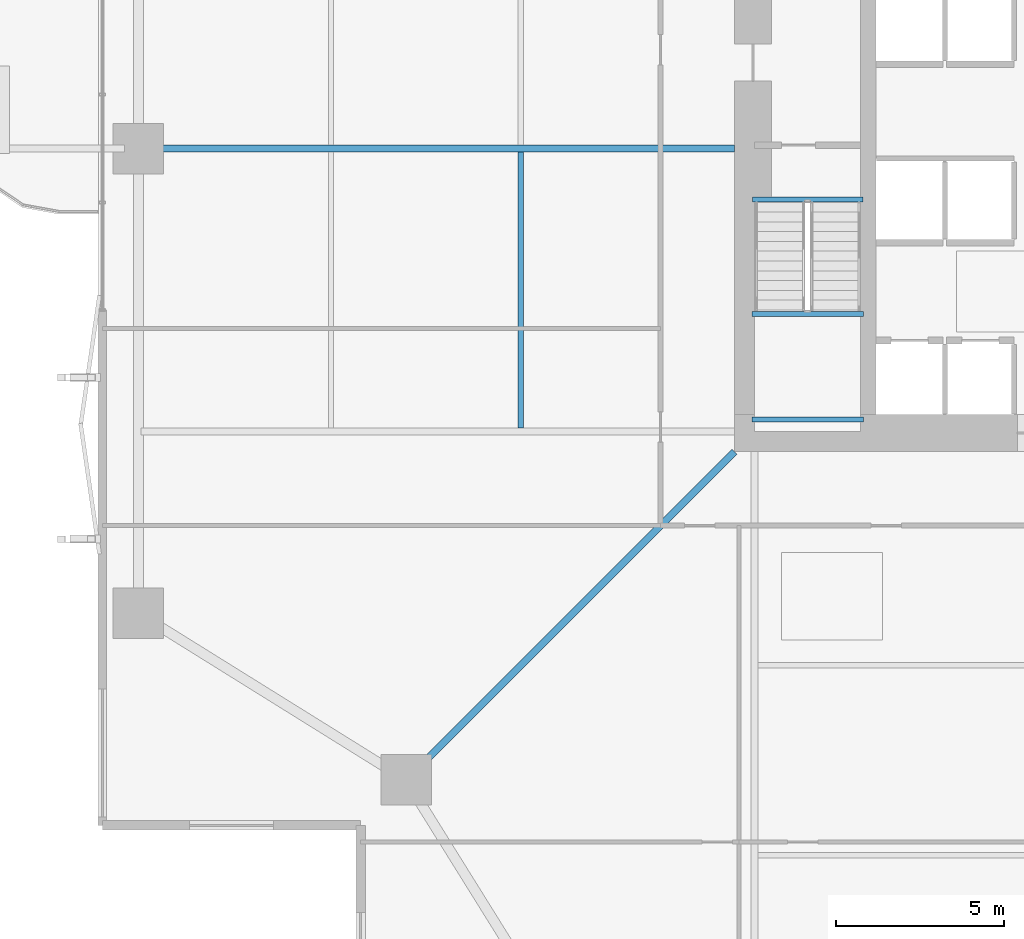
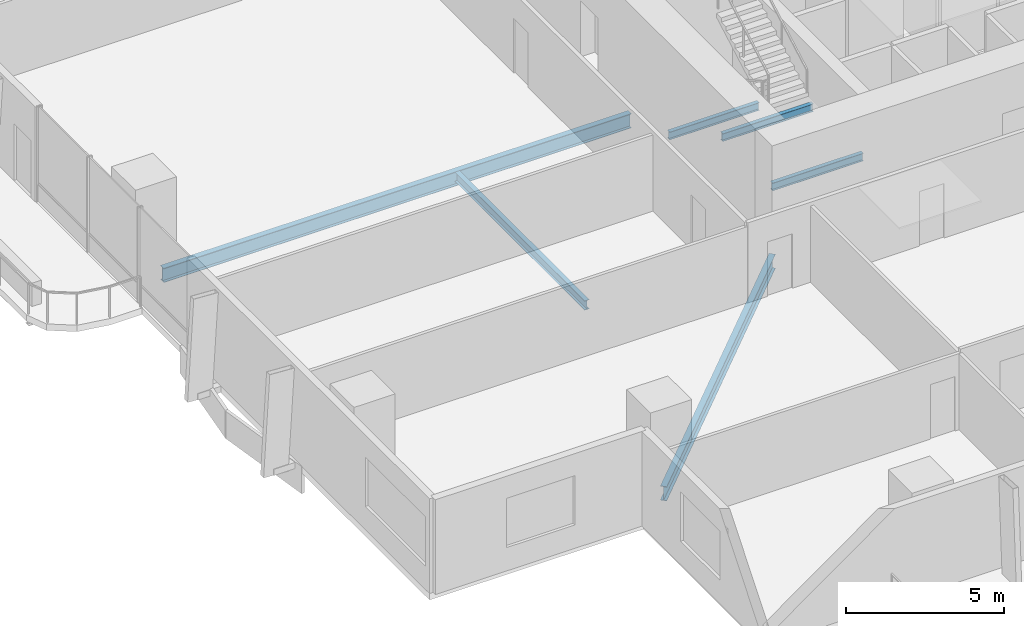
# One storey, part 5 of 23: 6 beams.
"""IFC4 building model written with IfcOpenShell, lengths in metres."""

from ifc_helpers import new_model, si_unit, direction, frame, origin, origin_2d, place, context, subcontext, project, spatial, i_section, extrude, material, material_profile, profile_set, type_object, element, save


model = new_model("IFC4")

# Units and contexts
model_context = context("Model", 3, precision=1e-05, world=origin(), true_north=direction((0.0, 1.0)))
body_context = subcontext(model_context, "Body", "Model", "MODEL_VIEW")
ifc_project = project(units=[si_unit("LENGTHUNIT", "METRE"), si_unit("AREAUNIT", "SQUARE_METRE"), si_unit("VOLUMEUNIT", "CUBIC_METRE"), si_unit("PLANEANGLEUNIT", "RADIAN"), si_unit("MASSUNIT", "GRAM", prefix="KILO")], contexts=[model_context])

# Site, building, storey
site_placement = place(None, origin())
site = spatial("IfcSite", under=ifc_project, at=site_placement, CompositionType="ELEMENT")
building_placement = place(site_placement, origin())
building = spatial("IfcBuilding", under=site, at=building_placement, Name="Belovzor Exchange Tower", CompositionType="ELEMENT")
storey_placement = place(building_placement, frame((0.0, 0.0, 88.5)))
storey = spatial("IfcBuildingStorey", under=building, at=storey_placement, Name="L21", CompositionType="ELEMENT", Elevation=88.5)

# Beams
ifc_material_1 = material(Name="Steel S355", Category="steel")
ifc_material_profile_1 = material_profile(ifc_material_1, i_section(OverallWidth=0.169921875, OverallDepth=0.360107421875, WebThickness=0.008056640625, FlangeThickness=0.0126953125, at=origin_2d()))
ifc_profile_set_1 = profile_set([ifc_material_profile_1], Name="Steel S355")
beam_type_1 = type_object("IfcBeamType", Name="Secondary Infill Floor Joist IPE 360", PredefinedType="BEAM", material=ifc_profile_set_1)
beam_1_placement = place(storey_placement, frame((13.455078125, 20.5048828125, -0.429931640625), z_axis=(0.0, 1.0, 0.0), x_axis=(-1.0, 0.0, 0.0)))
element("IfcBeam", 1, at=beam_1_placement, inside=storey, type_object=beam_type_1, Name="FJ-360 Secondary Infill Floor Joist IPE 360", PredefinedType="BEAM", context=body_context, shape_type="SweptSolid", body=[
    extrude(i_section(OverallWidth=0.169921875, OverallDepth=0.360107421875, WebThickness=0.008056640625, FlangeThickness=0.0126953125, at=origin_2d()), origin(), (0.0, 0.0, 1.0), 8.190185546875),
])
ifc_material_2 = material(Name="Steel S355", Category="steel")
ifc_material_profile_2 = material_profile(ifc_material_2, i_section(OverallWidth=0.14990234375, OverallDepth=0.300048828125, WebThickness=0.007080078125, FlangeThickness=0.0107421875, at=origin_2d()))
ifc_profile_set_2 = profile_set([ifc_material_profile_2], Name="Steel S355")
beam_type_2 = type_object("IfcBeamType", Name="Secondary Trim Floor Joist IPE 300", PredefinedType="BEAM", material=ifc_profile_set_2)
for number, where, z_axis, x_axis, name in (
    (2, (20.320068359375, 23.889892578125, 1.60009765625), (1.0, 0.0, 0.0), (0.0, 1.0, 0.0), "FJ-300 Secondary Trim Floor Joist IPE 300"),
    (3, (20.320068359375, 20.75, 1.60009765625), (1.0, 0.0, 0.0), (0.0, 1.0, 0.0), "FJ-300 Secondary Trim Floor Joist IPE 300"),
):
    element("IfcBeam", number, at=place(storey_placement, frame(where, z_axis=z_axis, x_axis=x_axis)), inside=storey, type_object=beam_type_2, Name=name, PredefinedType="BEAM", context=body_context, shape_type="SweptSolid", body=[
        extrude(i_section(OverallWidth=0.14990234375, OverallDepth=0.300048828125, WebThickness=0.007080078125, FlangeThickness=0.0107421875, at=origin_2d()), origin(), (0.0, 0.0, 1.0), 3.309814453125),
    ])
beam_2_placement = place(storey_placement, frame((20.340087890625, 27.280029296875, -0.39990234375), z_axis=(1.0, 0.0, 0.0), x_axis=(0.0, 1.0, 0.0)))
element("IfcBeam", 4, at=beam_2_placement, inside=storey, type_object=beam_type_2, Name="FJ-300 Secondary Trim Floor Joist IPE 300", PredefinedType="BEAM", context=body_context, shape_type="SweptSolid", body=[
    extrude(i_section(OverallWidth=0.14990234375, OverallDepth=0.300048828125, WebThickness=0.007080078125, FlangeThickness=0.0107421875, at=origin_2d()), origin(), (0.0, 0.0, 1.0), 3.27001953125),
])
ifc_material_3 = material(Name="Steel S355", Category="steel")
ifc_material_profile_3 = material_profile(ifc_material_3, i_section(OverallWidth=0.2099609375, OverallDepth=0.550048828125, WebThickness=0.010986328125, FlangeThickness=0.01708984375, at=origin_2d()))
ifc_profile_set_3 = profile_set([ifc_material_profile_3], Name="Steel S355")
beam_type_3 = type_object("IfcBeamType", Name="Zone 1 Radial Composite Floor Beam IPE 550", PredefinedType="BEAM", material=ifc_profile_set_3)
beam_3_placement = place(storey_placement, frame((19.800048828125, 28.800048828125, -0.52490234375), z_axis=(-1.0, 0.0, 0.0), x_axis=(0.0, -1.0, 0.0)))
element("IfcBeam", 5, at=beam_3_placement, inside=storey, type_object=beam_type_3, Name="FB-550 Zone 1 Radial Composite Floor Beam IPE 550", PredefinedType="BEAM", context=body_context, shape_type="SweptSolid", body=[
    extrude(i_section(OverallWidth=0.2099609375, OverallDepth=0.550048828125, WebThickness=0.010986328125, FlangeThickness=0.01708984375, at=origin_2d()), origin(), (0.0, 0.0, 1.0), 17.0400390625),
])
beam_4_placement = place(storey_placement, frame((19.800048828125, 19.800048828125, -0.52490234375), z_axis=(-0.707106781187, -0.707106781187, 0.0), x_axis=(0.707106781187, -0.707106781187, 0.0)))
element("IfcBeam", 6, at=beam_4_placement, inside=storey, type_object=beam_type_3, Name="FB-550 Zone 1 Radial Composite Floor Beam IPE 550", PredefinedType="BEAM", context=body_context, shape_type="SweptSolid", body=[
    extrude(i_section(OverallWidth=0.2099609375, OverallDepth=0.550048828125, WebThickness=0.010986328125, FlangeThickness=0.01708984375, at=origin_2d()), origin(), (0.0, 0.0, 1.0), 13.25830078125),
])

save(model, "model.ifc")
